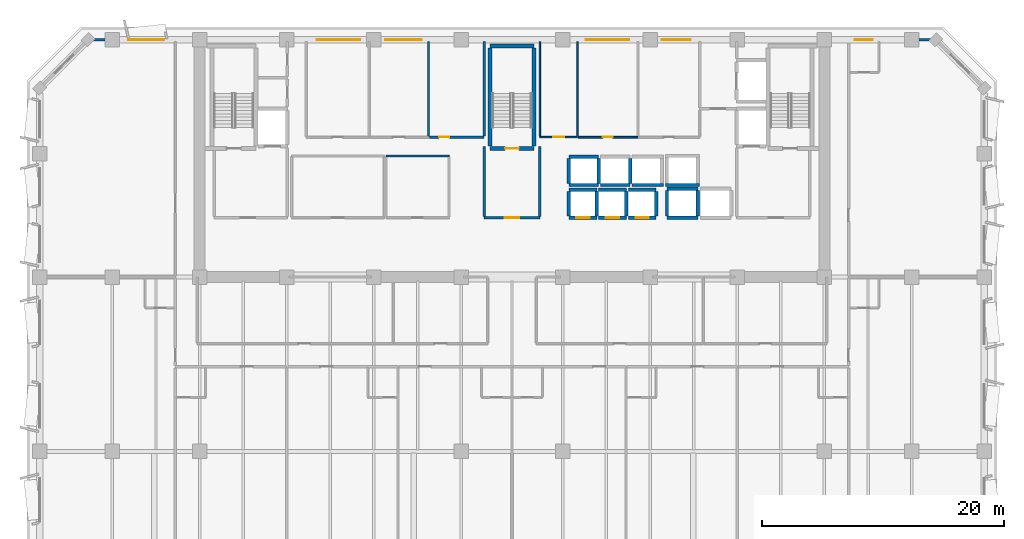
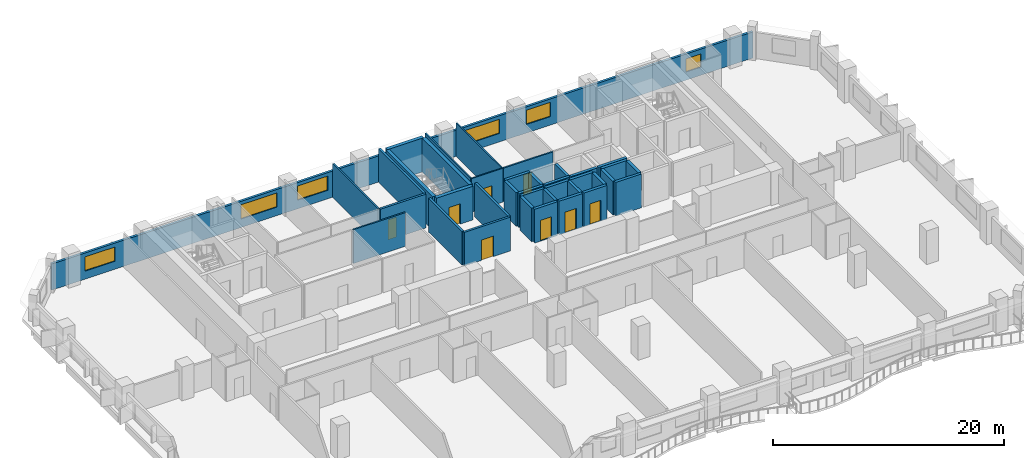
# One storey, part 7 of 14: 38 walls, 8 doors, 6 windows, 14 openings.
"""IFC4 building model written with IfcOpenShell, lengths in metres."""

from ifc_helpers import new_model, si_unit, direction, frame, frame_2d, origin, place, context, subcontext, project, spatial, rectangle, extrude, material, layer, layer_set, type_object, element, fill, save


model = new_model("IFC4")

# Units and contexts
model_context = context("Model", 3, precision=1e-05, world=origin(), true_north=direction((0.0, 1.0)))
body_context = subcontext(model_context, "Body", "Model", "MODEL_VIEW")
ifc_project = project(units=[si_unit("LENGTHUNIT", "METRE"), si_unit("AREAUNIT", "SQUARE_METRE"), si_unit("VOLUMEUNIT", "CUBIC_METRE"), si_unit("PLANEANGLEUNIT", "RADIAN"), si_unit("MASSUNIT", "GRAM", prefix="KILO")], contexts=[model_context])

# Site, building, storey
site_placement = place(None, origin())
site = spatial("IfcSite", under=ifc_project, at=site_placement, CompositionType="ELEMENT")
building_placement = place(site_placement, origin())
building = spatial("IfcBuilding", under=site, at=building_placement, Name="Kaelvorn Grand Hotel", CompositionType="ELEMENT")
storey_placement = place(building_placement, frame((0.0, 0.0, 193.949951171875)))
storey = spatial("IfcBuildingStorey", under=building, at=storey_placement, Name="L47", CompositionType="ELEMENT", Elevation=193.949951171875)

# Wall, openings, windows
ifc_material_1 = material(Name="Concrete C40/50", Category="concrete")
ifc_layer_1 = layer(ifc_material_1, 0.239990234375)
ifc_layer_set_1 = layer_set([ifc_layer_1], Name="Concrete C40/50")
wall_type_1 = type_object("IfcWallType", Name="WL-EXT-240-C40", PredefinedType="SOLIDWALL", material=ifc_layer_set_1)
wall_1_placement = place(storey_placement, frame((77.0, 49.0, 0.0), z_axis=(0.0, 0.0, 1.0), x_axis=(-1.0, 0.0, 0.0)))
wall_1 = element("IfcWall", 1, at=wall_1_placement, inside=storey, type_object=wall_type_1, Name="L47 Exterior Architectural Concrete Wall 05", PredefinedType="SOLIDWALL", context=body_context, shape_type="SweptSolid", body=[
    extrude(rectangle(XDim=70.0, YDim=0.239990234375, at=frame_2d((35.0, 0.0))), origin(), (0.0, 0.0, 1.0), 2.760009765625),
])
opening_1_placement = place(wall_1_placement, frame((63.699951171875, 0.0, 0.85009765625)))
opening_1 = element("IfcOpeningElement", 2, at=opening_1_placement, cuts=wall_1, Name="Opening W5", PredefinedType="OPENING", context=body_context, shape_type="SweptSolid", body=[
    extrude(rectangle(XDim=3.0, YDim=1.5, at=frame_2d((1.5, 0.75))), frame((0.0, 0.1298828125, 0.0), z_axis=(0.0, -1.0, 0.0), x_axis=(1.0, 0.0, 0.0)), (0.0, 0.0, 1.0), 0.260009765625),
])
opening_2_placement = place(wall_1_placement, frame((5.199951171875, 0.0, 0.85009765625)))
opening_2 = element("IfcOpeningElement", 3, at=opening_2_placement, cuts=wall_1, Name="Opening W10", PredefinedType="OPENING", context=body_context, shape_type="SweptSolid", body=[
    extrude(rectangle(XDim=1.5, YDim=1.39990234375, at=frame_2d((0.75, 0.699951171875))), frame((0.0, 0.1298828125, 0.0), z_axis=(0.0, -1.0, 0.0), x_axis=(1.0, 0.0, 0.0)), (0.0, 0.0, 1.0), 0.260009765625),
])
opening_3_placement = place(wall_1_placement, frame((47.514892578125, 0.0, 0.89990234375)))
opening_3 = element("IfcOpeningElement", 4, at=opening_3_placement, cuts=wall_1, Name="Opening W3", PredefinedType="OPENING", context=body_context, shape_type="SweptSolid", body=[
    extrude(rectangle(XDim=3.60009765625, YDim=1.5, at=frame_2d((1.800048828125, 0.75))), frame((0.0, 0.1298828125, 0.0), z_axis=(0.0, -1.0, 0.0), x_axis=(1.0, 0.0, 0.0)), (0.0, 0.0, 1.0), 0.260009765625),
])
opening_4_placement = place(wall_1_placement, frame((42.449951171875, 0.0, 0.89990234375)))
opening_4 = element("IfcOpeningElement", 5, at=opening_4_placement, cuts=wall_1, Name="Opening W5", PredefinedType="OPENING", context=body_context, shape_type="SweptSolid", body=[
    extrude(rectangle(XDim=3.0, YDim=1.5, at=frame_2d((1.5, 0.75))), frame((0.0, 0.1298828125, 0.0), z_axis=(0.0, -1.0, 0.0), x_axis=(1.0, 0.0, 0.0)), (0.0, 0.0, 1.0), 0.260009765625),
])
opening_5_placement = place(wall_1_placement, frame((25.300048828125, 0.0, 0.89990234375)))
opening_5 = element("IfcOpeningElement", 6, at=opening_5_placement, cuts=wall_1, Name="Opening W3", PredefinedType="OPENING", context=body_context, shape_type="SweptSolid", body=[
    extrude(rectangle(XDim=3.60009765625, YDim=1.5, at=frame_2d((1.800048828125, 0.75))), frame((0.0, 0.1298828125, 0.0), z_axis=(0.0, -1.0, 0.0), x_axis=(1.0, 0.0, 0.0)), (0.0, 0.0, 1.0), 0.260009765625),
])
opening_6_placement = place(wall_1_placement, frame((20.235107421875, 0.0, 0.89990234375)))
opening_6 = element("IfcOpeningElement", 7, at=opening_6_placement, cuts=wall_1, Name="Opening W6", PredefinedType="OPENING", context=body_context, shape_type="SweptSolid", body=[
    extrude(rectangle(XDim=2.39990234375, YDim=1.5, at=frame_2d((1.199951171875, 0.75))), frame((0.0, 0.1298828125, 0.0), z_axis=(0.0, -1.0, 0.0), x_axis=(1.0, 0.0, 0.0)), (0.0, 0.0, 1.0), 0.260009765625),
])
ifc_material_2 = material(Name="Laminated Low-E Glass", Category="glass")
window_type_1 = type_object("IfcWindowType", Name="WIN-COR-1500x1400", PartitioningType="SINGLE_PANEL", PredefinedType="WINDOW", material=ifc_material_2)
window_1_placement = place(opening_2_placement, origin())
window_1 = element("IfcWindow", 8, at=window_1_placement, inside=storey, type_object=window_type_1, Name="L47 North Wing Ribbon Window NW02", OverallHeight=1.39990234375, OverallWidth=1.5, PartitioningType="SINGLE_PANEL", PredefinedType="WINDOW", context=body_context, shape_type="SweptSolid", body=[
    extrude(rectangle(XDim=1.5, YDim=1.39990234375, at=frame_2d((0.75, 0.699951171875))), frame((0.0, 0.030029296875, 0.0), z_axis=(0.0, -1.0, 0.0), x_axis=(1.0, 0.0, 0.0)), (0.0, 0.0, 1.0), 0.06005859375),
])
fill(opening_2, window_1)
window_type_2 = type_object("IfcWindowType", Name="WIN-NTH-2400x1500", PartitioningType="SINGLE_PANEL", PredefinedType="WINDOW", material=ifc_material_2)
window_2_placement = place(opening_6_placement, origin())
window_2 = element("IfcWindow", 9, at=window_2_placement, inside=storey, type_object=window_type_2, Name="L47 North Core Clerestory Ribbon Window NC06", OverallHeight=1.5, OverallWidth=2.39990234375, PartitioningType="SINGLE_PANEL", PredefinedType="WINDOW", context=body_context, shape_type="SweptSolid", body=[
    extrude(rectangle(XDim=2.39990234375, YDim=1.5, at=frame_2d((1.199951171875, 0.75))), frame((0.0, 0.030029296875, 0.0), z_axis=(0.0, -1.0, 0.0), x_axis=(1.0, 0.0, 0.0)), (0.0, 0.0, 1.0), 0.06005859375),
])
fill(opening_6, window_2)
window_type_3 = type_object("IfcWindowType", Name="WIN-NTH-3000x1500", PartitioningType="SINGLE_PANEL", PredefinedType="WINDOW", material=ifc_material_2)
window_3_placement = place(opening_1_placement, origin())
window_3 = element("IfcWindow", 10, at=window_3_placement, inside=storey, type_object=window_type_3, Name="L47 North Wing Ribbon Window NW01", OverallHeight=1.5, OverallWidth=3.0, PartitioningType="SINGLE_PANEL", PredefinedType="WINDOW", context=body_context, shape_type="SweptSolid", body=[
    extrude(rectangle(XDim=3.0, YDim=1.5, at=frame_2d((1.5, 0.75))), frame((0.0, 0.030029296875, 0.0), z_axis=(0.0, -1.0, 0.0), x_axis=(1.0, 0.0, 0.0)), (0.0, 0.0, 1.0), 0.06005859375),
])
fill(opening_1, window_3)
window_4_placement = place(opening_4_placement, origin())
window_4 = element("IfcWindow", 11, at=window_4_placement, inside=storey, type_object=window_type_3, Name="L47 North Core Clerestory Ribbon Window NC04", OverallHeight=1.5, OverallWidth=3.0, PartitioningType="SINGLE_PANEL", PredefinedType="WINDOW", context=body_context, shape_type="SweptSolid", body=[
    extrude(rectangle(XDim=3.0, YDim=1.5, at=frame_2d((1.5, 0.75))), frame((0.0, 0.030029296875, 0.0), z_axis=(0.0, -1.0, 0.0), x_axis=(1.0, 0.0, 0.0)), (0.0, 0.0, 1.0), 0.06005859375),
])
fill(opening_4, window_4)
window_type_4 = type_object("IfcWindowType", Name="WIN-RIB-3600x1750", PartitioningType="SINGLE_PANEL", PredefinedType="WINDOW", material=ifc_material_2)
window_5_placement = place(opening_3_placement, origin())
window_5 = element("IfcWindow", 12, at=window_5_placement, inside=storey, type_object=window_type_4, Name="L47 North Core Clerestory Ribbon Window NC03", OverallHeight=1.5, OverallWidth=3.60009765625, PartitioningType="SINGLE_PANEL", PredefinedType="WINDOW", context=body_context, shape_type="SweptSolid", body=[
    extrude(rectangle(XDim=3.60009765625, YDim=1.5, at=frame_2d((1.800048828125, 0.75))), frame((0.0, 0.030029296875, 0.0), z_axis=(0.0, -1.0, 0.0), x_axis=(1.0, 0.0, 0.0)), (0.0, 0.0, 1.0), 0.06005859375),
])
fill(opening_3, window_5)
window_6_placement = place(opening_5_placement, origin())
window_6 = element("IfcWindow", 13, at=window_6_placement, inside=storey, type_object=window_type_4, Name="L47 North Core Clerestory Ribbon Window NC05", OverallHeight=1.5, OverallWidth=3.60009765625, PartitioningType="SINGLE_PANEL", PredefinedType="WINDOW", context=body_context, shape_type="SweptSolid", body=[
    extrude(rectangle(XDim=3.60009765625, YDim=1.5, at=frame_2d((1.800048828125, 0.75))), frame((0.0, 0.030029296875, 0.0), z_axis=(0.0, -1.0, 0.0), x_axis=(1.0, 0.0, 0.0)), (0.0, 0.0, 1.0), 0.06005859375),
])
fill(opening_5, window_6)

# Wall, opening, door
ifc_material_3 = material(Name="Moisture-Resistant Tile & Stud Board")
ifc_layer_2 = layer(ifc_material_3, 0.125)
ifc_layer_set_2 = layer_set([ifc_layer_2], Name="Moisture-Resistant Tile & Stud Board")
wall_type_2 = type_object("IfcWallType", Name="WL-PART-125-WET", PredefinedType="PARTITIONING", material=ifc_layer_set_2)
wall_2_placement = place(storey_placement, frame((44.300048828125, 40.949951171875, 0.0), z_axis=(0.0, 0.0, 1.0), x_axis=(1.0, 0.0, 0.0)))
wall_2 = element("IfcWall", 14, at=wall_2_placement, inside=storey, type_object=wall_type_2, Name="L47 Accessible WC S Partition", PredefinedType="PARTITIONING", context=body_context, shape_type="SweptSolid", body=[
    extrude(rectangle(XDim=3.099853515625, YDim=0.125, at=frame_2d((1.5498046875, 0.0))), origin(), (0.0, 0.0, 1.0), 3.56005859375),
])
opening_7_placement = place(wall_2_placement, frame((1.10009765625, 0.0, 0.0)))
opening_7 = element("IfcOpeningElement", 15, at=opening_7_placement, cuts=wall_2, Name="Opening DI4", PredefinedType="OPENING", context=body_context, shape_type="SweptSolid", body=[
    extrude(rectangle(XDim=0.89990234375, YDim=2.10009765625, at=frame_2d((0.449951171875, 1.050048828125))), frame((0.0, 0.072509765625, 0.0), z_axis=(0.0, -1.0, 0.0), x_axis=(1.0, 0.0, 0.0)), (0.0, 0.0, 1.0), 0.14501953125),
])
ifc_material_4 = material(Name="Timber Veneer Leaf", Category="wood")
door_type_1 = type_object("IfcDoorType", Name="DR-INT-BATH-900x2100", OperationType="NOTDEFINED", PredefinedType="DOOR", material=ifc_material_4)
door_1_placement = place(opening_7_placement, origin())
door_1 = element("IfcDoor", 16, at=door_1_placement, inside=storey, type_object=door_type_1, Name="L47 Accessible WC Door", OperationType="SINGLE_SWING_LEFT", OverallHeight=2.10009765625, OverallWidth=0.89990234375, PredefinedType="DOOR", context=body_context, shape_type="SweptSolid", body=[
    extrude(rectangle(XDim=0.89990234375, YDim=2.10009765625, at=frame_2d((0.449951171875, 1.050048828125))), frame((0.0, 0.02490234375, 0.0), z_axis=(0.0, -1.0, 0.0), x_axis=(1.0, 0.0, 0.0)), (0.0, 0.0, 1.0), 0.050048828125),
])
fill(opening_7, door_1)

# Walls
for number, where, z_axis, x_axis, name in (
    (17, (44.300048828125, 41.017578125, 0.0), (0.0, 0.0, 1.0), (0.0, 1.0, 0.0), "L47 Accessible WC W Partition"),
    (18, (47.39990234375, 41.017578125, 0.0), (0.0, 0.0, 1.0), (0.0, 1.0, 0.0), "L47 Accessible WC E Partition"),
):
    element("IfcWall", number, at=place(storey_placement, frame(where, z_axis=z_axis, x_axis=x_axis)), inside=storey, type_object=wall_type_2, Name=name, PredefinedType="PARTITIONING", context=body_context, shape_type="SweptSolid", body=[
        extrude(rectangle(XDim=7.83251953125, YDim=0.125, at=frame_2d((3.916259765625, 0.0))), origin(), (0.0, 0.0, 1.0), 3.56005859375),
    ])
ifc_material_5 = material(Name="Acoustic Gypsum & Stud Partition")
ifc_layer_3 = layer(ifc_material_5, 0.14990234375)
ifc_layer_set_3 = layer_set([ifc_layer_3], Name="Acoustic Gypsum & Stud Partition")
wall_type_3 = type_object("IfcWallType", Name="WL-PART-150-EI60", PredefinedType="PARTITIONING", material=ifc_layer_set_3)
wall_3_placement = place(storey_placement, frame((31.60009765625, 39.39990234375, 0.0), z_axis=(0.0, 0.0, 1.0), x_axis=(1.0, 0.0, 0.0)))
element("IfcWall", 19, at=wall_3_placement, inside=storey, type_object=wall_type_3, Name="L47 Core Telecoms & BMS Server Room N Partition", PredefinedType="PARTITIONING", context=body_context, shape_type="SweptSolid", body=[
    extrude(rectangle(XDim=5.199951171875, YDim=0.14990234375, at=frame_2d((2.60009765625, 0.0))), origin(), (0.0, 0.0, 1.0), 3.56005859375),
])
wall_4_placement = place(storey_placement, frame((35.10009765625, 41.030029296875, 0.0), z_axis=(0.0, 0.0, 1.0), x_axis=(0.0, 1.0, 0.0)))
element("IfcWall", 20, at=wall_4_placement, inside=storey, type_object=wall_type_3, Name="L47 Room Service Servery Pantry E Partition", PredefinedType="PARTITIONING", context=body_context, shape_type="SweptSolid", body=[
    extrude(rectangle(XDim=7.820068359375, YDim=0.14990234375, at=frame_2d((3.91015625, 0.0))), origin(), (0.0, 0.0, 1.0), 3.56005859375),
])

# Wall, opening, door
wall_5_placement = place(storey_placement, frame((47.467529296875, 40.949951171875, 0.0), z_axis=(0.0, 0.0, 1.0), x_axis=(1.0, 0.0, 0.0)))
wall_5 = element("IfcWall", 21, at=wall_5_placement, inside=storey, type_object=wall_type_3, Name="L47 Valet & Luggage Store S Partition", PredefinedType="PARTITIONING", context=body_context, shape_type="SweptSolid", body=[
    extrude(rectangle(XDim=4.932373046875, YDim=0.14990234375, at=frame_2d((2.46630859375, 0.0))), origin(), (0.0, 0.0, 1.0), 3.56005859375),
])
opening_8_placement = place(wall_5_placement, frame((2.007568359375, 0.0, 0.0)))
opening_8 = element("IfcOpeningElement", 22, at=opening_8_placement, cuts=wall_5, Name="Opening DI7", PredefinedType="OPENING", context=body_context, shape_type="SweptSolid", body=[
    extrude(rectangle(XDim=0.85009765625, YDim=2.10009765625, at=frame_2d((0.425048828125, 1.050048828125))), frame((0.0, 0.0849609375, 0.0), z_axis=(0.0, -1.0, 0.0), x_axis=(1.0, 0.0, 0.0)), (0.0, 0.0, 1.0), 0.169921875),
])
ifc_material_6 = material(Name="Powder-Coated Steel Leaf", Category="steel")
door_type_2 = type_object("IfcDoorType", Name="DR-INT-RISER-850x2100", OperationType="NOTDEFINED", PredefinedType="DOOR", material=ifc_material_6)
door_2_placement = place(opening_8_placement, origin())
door_2 = element("IfcDoor", 23, at=door_2_placement, inside=storey, type_object=door_type_2, Name="L47 Valet & Luggage Store Door", OperationType="SINGLE_SWING_RIGHT", OverallHeight=2.10009765625, OverallWidth=0.85009765625, PredefinedType="DOOR", context=body_context, shape_type="SweptSolid", body=[
    extrude(rectangle(XDim=0.85009765625, YDim=2.10009765625, at=frame_2d((0.425048828125, 1.050048828125))), frame((0.0, 0.02490234375, 0.0), z_axis=(0.0, -1.0, 0.0), x_axis=(1.0, 0.0, 0.0)), (0.0, 0.0, 1.0), 0.050048828125),
])
fill(opening_8, door_2)

ifc_layer_4 = layer(ifc_material_1, 0.219970703125)
ifc_layer_set_4 = layer_set([ifc_layer_4], Name="Concrete C40/50")
wall_type_4 = type_object("IfcWallType", Name="WL-PART-220-EI120", PredefinedType="PARTITIONING", material=ifc_layer_set_4)
wall_6_placement = place(storey_placement, frame((39.699951171875, 34.300048828125, 0.0), z_axis=(0.0, 0.0, 1.0), x_axis=(1.0, 0.0, 0.0)))
wall_6 = element("IfcWall", 24, at=wall_6_placement, inside=storey, type_object=wall_type_4, Name="L47 Central Stair Escape Vestibule S Partition", PredefinedType="PARTITIONING", context=body_context, shape_type="SweptSolid", body=[
    extrude(rectangle(XDim=4.60009765625, YDim=0.219970703125, at=frame_2d((2.300048828125, 0.0))), origin(), (0.0, 0.0, 1.0), 3.56005859375),
])
opening_9_placement = place(wall_6_placement, frame((1.699951171875, 0.0, 0.0)))
opening_9 = element("IfcOpeningElement", 25, at=opening_9_placement, cuts=wall_6, Name="Opening DI2", PredefinedType="OPENING", context=body_context, shape_type="SweptSolid", body=[
    extrude(rectangle(XDim=1.199951171875, YDim=2.14990234375, at=frame_2d((0.60009765625, 1.074951171875))), frame((0.0, 0.1201171875, 0.0), z_axis=(0.0, -1.0, 0.0), x_axis=(1.0, 0.0, 0.0)), (0.0, 0.0, 1.0), 0.239990234375),
])
ifc_material_7 = material(Name="Timber Veneer Fire Leaf", Category="wood")
door_type_3 = type_object("IfcDoorType", Name="DR-INT-FFLOB-1200x2150", OperationType="NOTDEFINED", PredefinedType="DOOR", material=ifc_material_7)
door_3_placement = place(opening_9_placement, origin())
door_3 = element("IfcDoor", 26, at=door_3_placement, inside=storey, type_object=door_type_3, Name="L47 Central Stair Escape Vestibule Door", OperationType="SINGLE_SWING_RIGHT", OverallHeight=2.14990234375, OverallWidth=1.199951171875, PredefinedType="DOOR", context=body_context, shape_type="SweptSolid", body=[
    extrude(rectangle(XDim=1.199951171875, YDim=2.14990234375, at=frame_2d((0.60009765625, 1.074951171875))), frame((0.0, 0.02490234375, 0.0), z_axis=(0.0, -1.0, 0.0), x_axis=(1.0, 0.0, 0.0)), (0.0, 0.0, 1.0), 0.050048828125),
])
fill(opening_9, door_3)

# Walls
for number, where, z_axis, x_axis, name in (
    (27, (39.699951171875, 34.4150390625, 0.0), (0.0, 0.0, 1.0), (0.0, 1.0, 0.0), "L47 Central Stair Escape Vestibule W Partition"),
    (28, (44.300048828125, 34.4150390625, 0.0), (0.0, 0.0, 1.0), (0.0, 1.0, 0.0), "L47 Central Stair Escape Vestibule E Partition"),
):
    element("IfcWall", number, at=place(storey_placement, frame(where, z_axis=z_axis, x_axis=x_axis)), inside=storey, type_object=wall_type_4, Name=name, PredefinedType="PARTITIONING", context=body_context, shape_type="SweptSolid", body=[
        extrude(rectangle(XDim=5.784912109375, YDim=0.219970703125, at=frame_2d((2.892578125, 0.0))), origin(), (0.0, 0.0, 1.0), 3.56005859375),
    ])

# Wall, opening, door
wall_7_placement = place(storey_placement, frame((35.179931640625, 40.949951171875, 0.0), z_axis=(0.0, 0.0, 1.0), x_axis=(1.0, 0.0, 0.0)))
wall_7 = element("IfcWall", 29, at=wall_7_placement, inside=storey, type_object=wall_type_4, Name="L47 Floor Electrical Switchroom S Partition", PredefinedType="PARTITIONING", context=body_context, shape_type="SweptSolid", body=[
    extrude(rectangle(XDim=4.52001953125, YDim=0.219970703125, at=frame_2d((2.260009765625, 0.0))), origin(), (0.0, 0.0, 1.0), 3.56005859375),
])
opening_10_placement = place(wall_7_placement, frame((0.794921875, 0.0, 0.0)))
opening_10 = element("IfcOpeningElement", 30, at=opening_10_placement, cuts=wall_7, Name="Opening DI7", PredefinedType="OPENING", context=body_context, shape_type="SweptSolid", body=[
    extrude(rectangle(XDim=0.85009765625, YDim=2.10009765625, at=frame_2d((0.425048828125, 1.050048828125))), frame((0.0, 0.1201171875, 0.0), z_axis=(0.0, -1.0, 0.0), x_axis=(1.0, 0.0, 0.0)), (0.0, 0.0, 1.0), 0.239990234375),
])
door_4_placement = place(opening_10_placement, origin())
door_4 = element("IfcDoor", 31, at=door_4_placement, inside=storey, type_object=door_type_2, Name="L47 Floor Electrical Switchroom Door", OperationType="SINGLE_SWING_RIGHT", OverallHeight=2.10009765625, OverallWidth=0.85009765625, PredefinedType="DOOR", context=body_context, shape_type="SweptSolid", body=[
    extrude(rectangle(XDim=0.85009765625, YDim=2.10009765625, at=frame_2d((0.425048828125, 1.050048828125))), frame((0.0, 0.02490234375, 0.0), z_axis=(0.0, -1.0, 0.0), x_axis=(1.0, 0.0, 0.0)), (0.0, 0.0, 1.0), 0.050048828125),
])
fill(opening_10, door_4)

# Wall
wall_8_placement = place(storey_placement, frame((39.699951171875, 41.06494140625, 0.0), z_axis=(0.0, 0.0, 1.0), x_axis=(0.0, 1.0, 0.0)))
element("IfcWall", 32, at=wall_8_placement, inside=storey, type_object=wall_type_4, Name="L47 Floor Electrical Switchroom E Partition", PredefinedType="PARTITIONING", context=body_context, shape_type="SweptSolid", body=[
    extrude(rectangle(XDim=7.78515625, YDim=0.219970703125, at=frame_2d((3.892578125, 0.0))), origin(), (0.0, 0.0, 1.0), 3.56005859375),
])

# Wall, opening, door
ifc_material_8 = material(Name="Concrete C50/60", Category="concrete")
ifc_layer_5 = layer(ifc_material_8, 0.280029296875)
ifc_layer_set_5 = layer_set([ifc_layer_5], Name="Concrete C50/60")
wall_type_5 = type_object("IfcWallType", Name="WL-SHAFT-280-C50", PredefinedType="SHEAR", material=ifc_layer_set_5)
wall_9_placement = place(storey_placement, frame((46.699951171875, 34.300048828125, 0.0), z_axis=(0.0, 0.0, 1.0), x_axis=(1.0, 0.0, 0.0)))
wall_9 = element("IfcWall", 33, at=wall_9_placement, inside=storey, type_object=wall_type_5, Name="L47 Lift PL-M1 Shaft South Wall", PredefinedType="SHEAR", context=body_context, shape_type="SweptSolid", body=[
    extrude(rectangle(XDim=2.300048828125, YDim=0.280029296875, at=frame_2d((1.14990234375, 0.0))), origin(), (0.0, 0.0, 1.0), 3.56005859375),
])
opening_11_placement = place(wall_9_placement, frame((0.60009765625, 0.0, 0.0)))
opening_11 = element("IfcOpeningElement", 34, at=opening_11_placement, cuts=wall_9, Name="Opening LD-PL-M1", PredefinedType="OPENING", context=body_context, shape_type="SweptSolid", body=[
    extrude(rectangle(XDim=1.10009765625, YDim=2.199951171875, at=frame_2d((0.550048828125, 1.10009765625))), frame((0.0, 0.14990234375, 0.0), z_axis=(0.0, -1.0, 0.0), x_axis=(1.0, 0.0, 0.0)), (0.0, 0.0, 1.0), 0.300048828125),
])
ifc_material_9 = material(Name="Stainless Steel", Category="steel")
door_type_4 = type_object("IfcDoorType", Name="DR-LIFT-PASS-1100x2200", OperationType="DOUBLE_DOOR_SLIDING", PredefinedType="DOOR", material=ifc_material_9)
door_5_placement = place(opening_11_placement, origin())
door_5 = element("IfcDoor", 35, at=door_5_placement, inside=storey, type_object=door_type_4, Name="L47 Lift PL-M1 Sliding Landing Door LD-PL-M1", OperationType="DOUBLE_DOOR_SLIDING", OverallHeight=2.199951171875, OverallWidth=1.10009765625, PredefinedType="DOOR", context=body_context, shape_type="SweptSolid", body=[
    extrude(rectangle(XDim=1.10009765625, YDim=2.199951171875, at=frame_2d((0.550048828125, 1.10009765625))), frame((0.0, 0.02490234375, 0.0), z_axis=(0.0, -1.0, 0.0), x_axis=(1.0, 0.0, 0.0)), (0.0, 0.0, 1.0), 0.050048828125),
])
fill(opening_11, door_5)

# Walls
wall_10_placement = place(storey_placement, frame((46.699951171875, 36.60009765625, 0.0), z_axis=(0.0, 0.0, 1.0), x_axis=(1.0, 0.0, 0.0)))
element("IfcWall", 36, at=wall_10_placement, inside=storey, type_object=wall_type_5, Name="L47 Lift PL-M1 Shaft North Wall", PredefinedType="SHEAR", context=body_context, shape_type="SweptSolid", body=[
    extrude(rectangle(XDim=2.300048828125, YDim=0.280029296875, at=frame_2d((1.14990234375, 0.0))), origin(), (0.0, 0.0, 1.0), 3.56005859375),
])
for number, where, z_axis, x_axis, name in (
    (37, (46.699951171875, 34.445068359375, 0.0), (0.0, 0.0, 1.0), (0.0, 1.0, 0.0), "L47 Lift PL-M1 Shaft West Wall"),
    (38, (49.0, 34.445068359375, 0.0), (0.0, 0.0, 1.0), (0.0, 1.0, 0.0), "L47 Lift PL-M1 Shaft East Wall"),
):
    element("IfcWall", number, at=place(storey_placement, frame(where, z_axis=z_axis, x_axis=x_axis)), inside=storey, type_object=wall_type_5, Name=name, PredefinedType="SHEAR", context=body_context, shape_type="SweptSolid", body=[
        extrude(rectangle(XDim=2.010009765625, YDim=0.280029296875, at=frame_2d((1.0048828125, 0.0))), origin(), (0.0, 0.0, 1.0), 3.56005859375),
    ])

# Wall, opening, door
wall_11_placement = place(storey_placement, frame((49.14990234375, 34.300048828125, 0.0), z_axis=(0.0, 0.0, 1.0), x_axis=(1.0, 0.0, 0.0)))
wall_11 = element("IfcWall", 39, at=wall_11_placement, inside=storey, type_object=wall_type_5, Name="L47 Lift PL-M2 Shaft South Wall", PredefinedType="SHEAR", context=body_context, shape_type="SweptSolid", body=[
    extrude(rectangle(XDim=2.300048828125, YDim=0.280029296875, at=frame_2d((1.14990234375, 0.0))), origin(), (0.0, 0.0, 1.0), 3.56005859375),
])
opening_12_placement = place(wall_11_placement, frame((0.60009765625, 0.0, 0.0)))
opening_12 = element("IfcOpeningElement", 40, at=opening_12_placement, cuts=wall_11, Name="Opening LD-PL-M2", PredefinedType="OPENING", context=body_context, shape_type="SweptSolid", body=[
    extrude(rectangle(XDim=1.10009765625, YDim=2.199951171875, at=frame_2d((0.550048828125, 1.10009765625))), frame((0.0, 0.14990234375, 0.0), z_axis=(0.0, -1.0, 0.0), x_axis=(1.0, 0.0, 0.0)), (0.0, 0.0, 1.0), 0.300048828125),
])
door_6_placement = place(opening_12_placement, origin())
door_6 = element("IfcDoor", 41, at=door_6_placement, inside=storey, type_object=door_type_4, Name="L47 Lift PL-M2 Sliding Landing Door LD-PL-M2", OperationType="DOUBLE_DOOR_SLIDING", OverallHeight=2.199951171875, OverallWidth=1.10009765625, PredefinedType="DOOR", context=body_context, shape_type="SweptSolid", body=[
    extrude(rectangle(XDim=1.10009765625, YDim=2.199951171875, at=frame_2d((0.550048828125, 1.10009765625))), frame((0.0, 0.02490234375, 0.0), z_axis=(0.0, -1.0, 0.0), x_axis=(1.0, 0.0, 0.0)), (0.0, 0.0, 1.0), 0.050048828125),
])
fill(opening_12, door_6)

# Walls
wall_12_placement = place(storey_placement, frame((49.14990234375, 36.60009765625, 0.0), z_axis=(0.0, 0.0, 1.0), x_axis=(1.0, 0.0, 0.0)))
element("IfcWall", 42, at=wall_12_placement, inside=storey, type_object=wall_type_5, Name="L47 Lift PL-M2 Shaft North Wall", PredefinedType="SHEAR", context=body_context, shape_type="SweptSolid", body=[
    extrude(rectangle(XDim=2.300048828125, YDim=0.280029296875, at=frame_2d((1.14990234375, 0.0))), origin(), (0.0, 0.0, 1.0), 3.56005859375),
])
wall_13_placement = place(storey_placement, frame((51.449951171875, 34.445068359375, 0.0), z_axis=(0.0, 0.0, 1.0), x_axis=(0.0, 1.0, 0.0)))
element("IfcWall", 43, at=wall_13_placement, inside=storey, type_object=wall_type_5, Name="L47 Lift PL-M2 Shaft East Wall", PredefinedType="SHEAR", context=body_context, shape_type="SweptSolid", body=[
    extrude(rectangle(XDim=2.010009765625, YDim=0.280029296875, at=frame_2d((1.0048828125, 0.0))), origin(), (0.0, 0.0, 1.0), 3.56005859375),
])

# Wall, opening, door
wall_14_placement = place(storey_placement, frame((51.60009765625, 34.300048828125, 0.0), z_axis=(0.0, 0.0, 1.0), x_axis=(1.0, 0.0, 0.0)))
wall_14 = element("IfcWall", 44, at=wall_14_placement, inside=storey, type_object=wall_type_5, Name="L47 Lift PL-M3 Shaft South Wall", PredefinedType="SHEAR", context=body_context, shape_type="SweptSolid", body=[
    extrude(rectangle(XDim=2.2998046875, YDim=0.280029296875, at=frame_2d((1.14990234375, 0.0))), origin(), (0.0, 0.0, 1.0), 3.56005859375),
])
opening_13_placement = place(wall_14_placement, frame((0.60009765625, 0.0, 0.0)))
opening_13 = element("IfcOpeningElement", 45, at=opening_13_placement, cuts=wall_14, Name="Opening LD-PL-M3", PredefinedType="OPENING", context=body_context, shape_type="SweptSolid", body=[
    extrude(rectangle(XDim=1.10009765625, YDim=2.199951171875, at=frame_2d((0.550048828125, 1.10009765625))), frame((0.0, 0.14990234375, 0.0), z_axis=(0.0, -1.0, 0.0), x_axis=(1.0, 0.0, 0.0)), (0.0, 0.0, 1.0), 0.300048828125),
])
door_7_placement = place(opening_13_placement, origin())
door_7 = element("IfcDoor", 46, at=door_7_placement, inside=storey, type_object=door_type_4, Name="L47 Lift PL-M3 Sliding Landing Door LD-PL-M3", OperationType="DOUBLE_DOOR_SLIDING", OverallHeight=2.199951171875, OverallWidth=1.10009765625, PredefinedType="DOOR", context=body_context, shape_type="SweptSolid", body=[
    extrude(rectangle(XDim=1.10009765625, YDim=2.199951171875, at=frame_2d((0.550048828125, 1.10009765625))), frame((0.0, 0.02490234375, 0.0), z_axis=(0.0, -1.0, 0.0), x_axis=(1.0, 0.0, 0.0)), (0.0, 0.0, 1.0), 0.050048828125),
])
fill(opening_13, door_7)

# Walls
wall_15_placement = place(storey_placement, frame((51.60009765625, 36.60009765625, 0.0), z_axis=(0.0, 0.0, 1.0), x_axis=(1.0, 0.0, 0.0)))
element("IfcWall", 47, at=wall_15_placement, inside=storey, type_object=wall_type_5, Name="L47 Lift PL-M3 Shaft North Wall", PredefinedType="SHEAR", context=body_context, shape_type="SweptSolid", body=[
    extrude(rectangle(XDim=2.2998046875, YDim=0.280029296875, at=frame_2d((1.14990234375, 0.0))), origin(), (0.0, 0.0, 1.0), 3.56005859375),
])
wall_16_placement = place(storey_placement, frame((53.89990234375, 34.445068359375, 0.0), z_axis=(0.0, 0.0, 1.0), x_axis=(0.0, 1.0, 0.0)))
element("IfcWall", 48, at=wall_16_placement, inside=storey, type_object=wall_type_5, Name="L47 Lift PL-M3 Shaft East Wall", PredefinedType="SHEAR", context=body_context, shape_type="SweptSolid", body=[
    extrude(rectangle(XDim=2.010009765625, YDim=0.280029296875, at=frame_2d((1.0048828125, 0.0))), origin(), (0.0, 0.0, 1.0), 3.56005859375),
])
for number, where, z_axis, x_axis, name in (
    (49, (46.699951171875, 37.0, 0.0), (0.0, 0.0, 1.0), (1.0, 0.0, 0.0), "L47 Lift SL-1 Shaft South Wall"),
    (50, (46.699951171875, 39.35009765625, 0.0), (0.0, 0.0, 1.0), (1.0, 0.0, 0.0), "L47 Lift SL-1 Shaft North Wall"),
):
    element("IfcWall", number, at=place(storey_placement, frame(where, z_axis=z_axis, x_axis=x_axis)), inside=storey, type_object=wall_type_5, Name=name, PredefinedType="SHEAR", context=body_context, shape_type="SweptSolid", body=[
        extrude(rectangle(XDim=2.449951171875, YDim=0.280029296875, at=frame_2d((1.22509765625, 0.0))), origin(), (0.0, 0.0, 1.0), 3.56005859375),
    ])
for number, where, z_axis, x_axis, name in (
    (51, (46.699951171875, 37.14501953125, 0.0), (0.0, 0.0, 1.0), (0.0, 1.0, 0.0), "L47 Lift SL-1 Shaft West Wall"),
    (52, (49.14990234375, 37.14501953125, 0.0), (0.0, 0.0, 1.0), (0.0, 1.0, 0.0), "L47 Lift SL-1 Shaft East Wall"),
):
    element("IfcWall", number, at=place(storey_placement, frame(where, z_axis=z_axis, x_axis=x_axis)), inside=storey, type_object=wall_type_5, Name=name, PredefinedType="SHEAR", context=body_context, shape_type="SweptSolid", body=[
        extrude(rectangle(XDim=2.06005859375, YDim=0.280029296875, at=frame_2d((1.030029296875, 0.0))), origin(), (0.0, 0.0, 1.0), 3.56005859375),
    ])
wall_17_placement = place(storey_placement, frame((49.300048828125, 37.0, 0.0), z_axis=(0.0, 0.0, 1.0), x_axis=(1.0, 0.0, 0.0)))
element("IfcWall", 53, at=wall_17_placement, inside=storey, type_object=wall_type_5, Name="L47 Lift SL-2 Shaft South Wall", PredefinedType="SHEAR", context=body_context, shape_type="SweptSolid", body=[
    extrude(rectangle(XDim=2.449951171875, YDim=0.280029296875, at=frame_2d((1.22509765625, 0.0))), origin(), (0.0, 0.0, 1.0), 3.56005859375),
])
wall_18_placement = place(storey_placement, frame((51.75, 37.14501953125, 0.0), z_axis=(0.0, 0.0, 1.0), x_axis=(0.0, 1.0, 0.0)))
element("IfcWall", 54, at=wall_18_placement, inside=storey, type_object=wall_type_5, Name="L47 Lift SL-2 Shaft East Wall", PredefinedType="SHEAR", context=body_context, shape_type="SweptSolid", body=[
    extrude(rectangle(XDim=2.06005859375, YDim=0.280029296875, at=frame_2d((1.030029296875, 0.0))), origin(), (0.0, 0.0, 1.0), 3.56005859375),
])
wall_19_placement = place(storey_placement, frame((51.89990234375, 37.0, 0.0), z_axis=(0.0, 0.0, 1.0), x_axis=(1.0, 0.0, 0.0)))
element("IfcWall", 55, at=wall_19_placement, inside=storey, type_object=wall_type_5, Name="L47 Lift SL-3 Shaft South Wall", PredefinedType="SHEAR", context=body_context, shape_type="SweptSolid", body=[
    extrude(rectangle(XDim=2.590087890625, YDim=0.280029296875, at=frame_2d((1.294921875, 0.0))), origin(), (0.0, 0.0, 1.0), 3.56005859375),
])
for number, where, z_axis, x_axis, name in (
    (56, (54.800048828125, 34.300048828125, 0.0), (0.0, 0.0, 1.0), (1.0, 0.0, 0.0), "L47 Lift OL-1 Shaft South Wall"),
    (57, (54.800048828125, 36.699951171875, 0.0), (0.0, 0.0, 1.0), (1.0, 0.0, 0.0), "L47 Lift OL-1 Shaft North Wall"),
):
    element("IfcWall", number, at=place(storey_placement, frame(where, z_axis=z_axis, x_axis=x_axis)), inside=storey, type_object=wall_type_5, Name=name, PredefinedType="SHEAR", context=body_context, shape_type="SweptSolid", body=[
        extrude(rectangle(XDim=2.550048828125, YDim=0.280029296875, at=frame_2d((1.27490234375, 0.0))), origin(), (0.0, 0.0, 1.0), 3.56005859375),
    ])
for number, where, z_axis, x_axis, name in (
    (58, (54.800048828125, 34.445068359375, 0.0), (0.0, 0.0, 1.0), (0.0, 1.0, 0.0), "L47 Lift OL-1 Shaft West Wall"),
    (59, (57.35009765625, 34.445068359375, 0.0), (0.0, 0.0, 1.0), (0.0, 1.0, 0.0), "L47 Lift OL-1 Shaft East Wall"),
):
    element("IfcWall", number, at=place(storey_placement, frame(where, z_axis=z_axis, x_axis=x_axis)), inside=storey, type_object=wall_type_5, Name=name, PredefinedType="SHEAR", context=body_context, shape_type="SweptSolid", body=[
        extrude(rectangle(XDim=2.10986328125, YDim=0.280029296875, at=frame_2d((1.054931640625, 0.0))), origin(), (0.0, 0.0, 1.0), 3.56005859375),
    ])
wall_20_placement = place(storey_placement, frame((54.659912109375, 37.0, 0.0), z_axis=(0.0, 0.0, 1.0), x_axis=(1.0, 0.0, 0.0)))
element("IfcWall", 60, at=wall_20_placement, inside=storey, type_object=wall_type_5, Name="L47 Lift OL-3 Shaft South Wall", PredefinedType="SHEAR", context=body_context, shape_type="SweptSolid", body=[
    extrude(rectangle(XDim=2.830078125, YDim=0.280029296875, at=frame_2d((1.4150390625, 0.0))), origin(), (0.0, 0.0, 1.0), 3.56005859375),
])

# Wall, opening, door
ifc_material_10 = material(Name="Concrete C60/75", Category="concrete")
ifc_layer_6 = layer(ifc_material_10, 0.35009765625)
ifc_layer_set_6 = layer_set([ifc_layer_6], Name="Concrete C60/75")
wall_type_6 = type_object("IfcWallType", Name="WL-SHAFT-350-C60", PredefinedType="SHEAR", material=ifc_layer_set_6)
wall_21_placement = place(storey_placement, frame((40.18505859375, 40.02490234375, 0.0), z_axis=(0.0, 0.0, 1.0), x_axis=(1.0, 0.0, 0.0)))
wall_21 = element("IfcWall", 61, at=wall_21_placement, inside=storey, type_object=wall_type_6, Name="L47 ST2 Stair Shaft South Wall", PredefinedType="SHEAR", context=body_context, shape_type="SweptSolid", body=[
    extrude(rectangle(XDim=3.6298828125, YDim=0.35009765625, at=frame_2d((1.81494140625, 0.0))), origin(), (0.0, 0.0, 1.0), 3.56005859375),
])
opening_14_placement = place(wall_21_placement, frame((1.239990234375, 0.0, 0.0)))
opening_14 = element("IfcOpeningElement", 62, at=opening_14_placement, cuts=wall_21, Name="Opening DI1", PredefinedType="OPENING", context=body_context, shape_type="SweptSolid", body=[
    extrude(rectangle(XDim=1.14990234375, YDim=2.14990234375, at=frame_2d((0.574951171875, 1.074951171875))), frame((0.0, 0.18505859375, 0.0), z_axis=(0.0, -1.0, 0.0), x_axis=(1.0, 0.0, 0.0)), (0.0, 0.0, 1.0), 0.3701171875),
])
door_type_5 = type_object("IfcDoorType", Name="DR-INT-STAIR-1150x2150", OperationType="NOTDEFINED", PredefinedType="DOOR", material=ifc_material_7)
door_8_placement = place(opening_14_placement, origin())
door_8 = element("IfcDoor", 63, at=door_8_placement, inside=storey, type_object=door_type_5, Name="L47 ST2 Exit Stair Fire Door", OperationType="SINGLE_SWING_RIGHT", OverallHeight=2.14990234375, OverallWidth=1.14990234375, PredefinedType="DOOR", context=body_context, shape_type="SweptSolid", body=[
    extrude(rectangle(XDim=1.14990234375, YDim=2.14990234375, at=frame_2d((0.574951171875, 1.074951171875))), frame((0.0, 0.02490234375, 0.0), z_axis=(0.0, -1.0, 0.0), x_axis=(1.0, 0.0, 0.0)), (0.0, 0.0, 1.0), 0.050048828125),
])
fill(opening_14, door_8)

# Walls
wall_22_placement = place(storey_placement, frame((40.18505859375, 48.47509765625, 0.0), z_axis=(0.0, 0.0, 1.0), x_axis=(1.0, 0.0, 0.0)))
element("IfcWall", 64, at=wall_22_placement, inside=storey, type_object=wall_type_6, Name="L47 ST2 Stair Shaft North Wall", PredefinedType="SHEAR", context=body_context, shape_type="SweptSolid", body=[
    extrude(rectangle(XDim=3.6298828125, YDim=0.35009765625, at=frame_2d((1.81494140625, 0.0))), origin(), (0.0, 0.0, 1.0), 3.56005859375),
])
for number, where, z_axis, x_axis, name in (
    (65, (40.18505859375, 40.205078125, 0.0), (0.0, 0.0, 1.0), (0.0, 1.0, 0.0), "L47 ST2 Stair Shaft West Wall"),
    (66, (43.81494140625, 40.205078125, 0.0), (0.0, 0.0, 1.0), (0.0, 1.0, 0.0), "L47 ST2 Stair Shaft East Wall"),
):
    element("IfcWall", number, at=place(storey_placement, frame(where, z_axis=z_axis, x_axis=x_axis)), inside=storey, type_object=wall_type_6, Name=name, PredefinedType="SHEAR", context=body_context, shape_type="SweptSolid", body=[
        extrude(rectangle(XDim=8.08984375, YDim=0.35009765625, at=frame_2d((4.044921875, 0.0))), origin(), (0.0, 0.0, 1.0), 3.56005859375),
    ])

save(model, "model.ifc")
